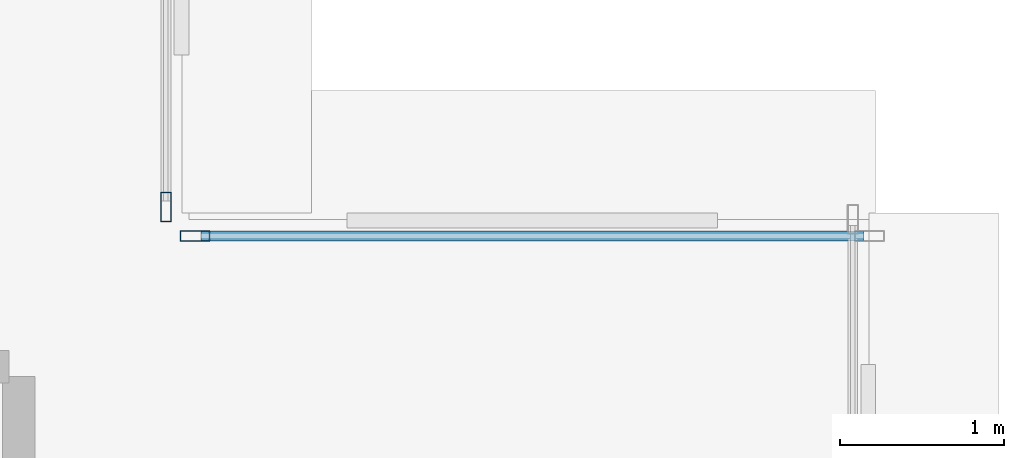
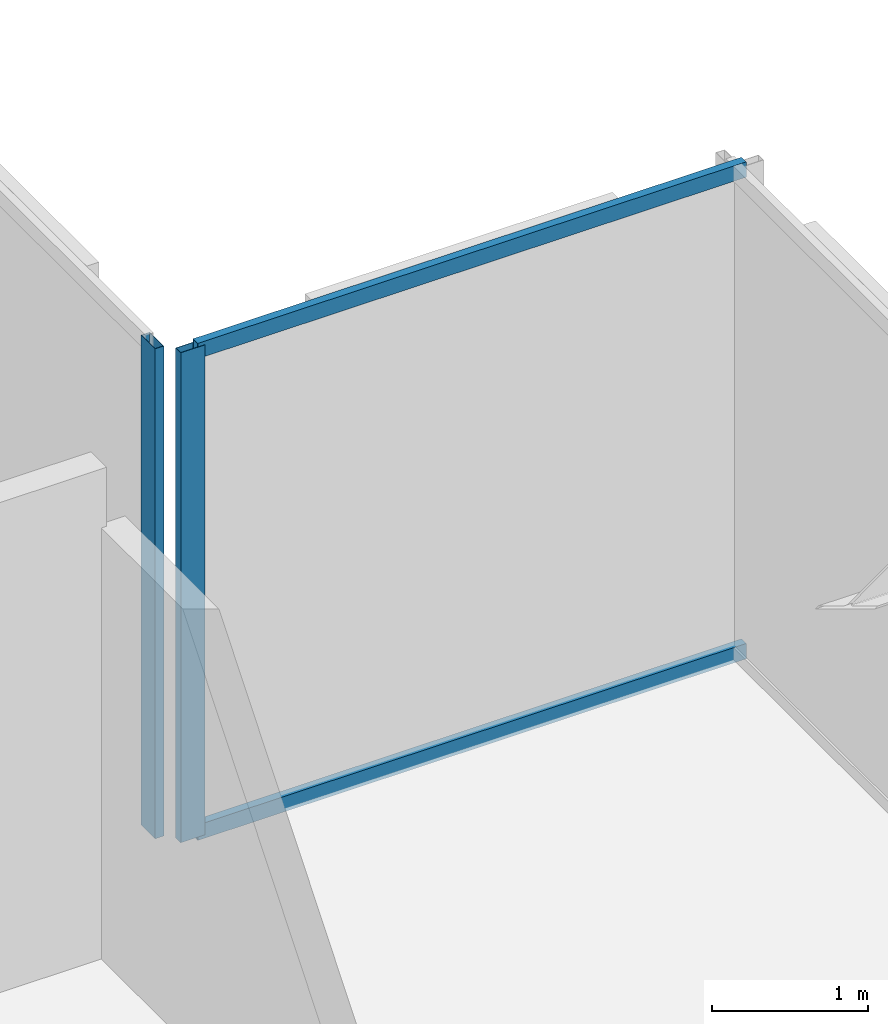
# One storey, part 20 of 30: 4 members, 2 elements without a shape of their own.
"""IFC4 building model written with IfcOpenShell, lengths in metres."""

from ifc_helpers import new_model, si_unit, direction, frame, origin, origin_2d, place, context, subcontext, project, spatial, hollow_rectangle, extrude, material, layer, layer_set, material_profile, profile_set, type_object, element, aggregate, save


model = new_model("IFC4")

# Units and contexts
model_context = context("Model", 3, precision=1e-05, world=origin(), true_north=direction((0.0, 1.0)))
body_context = subcontext(model_context, "Body", "Model", "MODEL_VIEW")
ifc_project = project(units=[si_unit("LENGTHUNIT", "METRE"), si_unit("AREAUNIT", "SQUARE_METRE"), si_unit("VOLUMEUNIT", "CUBIC_METRE"), si_unit("PLANEANGLEUNIT", "RADIAN"), si_unit("MASSUNIT", "GRAM", prefix="KILO")], contexts=[model_context])

# Site, building, storey
site_placement = place(None, origin())
site = spatial("IfcSite", under=ifc_project, at=site_placement, CompositionType="ELEMENT")
building_placement = place(site_placement, origin())
building = spatial("IfcBuilding", under=site, at=building_placement, Name="Nerrivon Quay Data Exchange", CompositionType="ELEMENT")
storey_placement = place(building_placement, frame((0.0, 0.0, 167.300048828125)))
storey = spatial("IfcBuildingStorey", under=building, at=storey_placement, Name="L39", CompositionType="ELEMENT", Elevation=167.300048828125)

# Curtain wall, member
ifc_material = material(Name="Anodised aluminium 6063-T6", Category="aluminium")
ifc_layer = layer(ifc_material, 0.195068359375)
ifc_layer_set = layer_set([ifc_layer], Name="Anodised aluminium 6063-T6")
curtain_wall_type = type_object("IfcCurtainWallType", Name="CW-SYS-06", PredefinedType="NOTDEFINED", material=ifc_layer_set)
curtain_wall_1_placement = place(storey_placement, origin())
curtain_wall_1 = element("IfcCurtainWall", 1, at=curtain_wall_1_placement, inside=storey, type_object=curtain_wall_type, Name="L39 Unitised Curtain Wall 21", PredefinedType="NOTDEFINED")
ifc_material_profile_1 = material_profile(ifc_material, hollow_rectangle(XDim=0.06494140625, YDim=0.179931640625, WallThickness=0.00341796875, at=origin_2d()), Name="ALU-MULL-180x65")
ifc_profile_set_1 = profile_set([ifc_material_profile_1], Name="Anodised aluminium 6063-T6")
member_type_1 = type_object("IfcMemberType", Name="CWM-180x65", PredefinedType="MULLION", material=ifc_profile_set_1)
member_1_placement = place(storey_placement, frame((20.860107421875, 46.237548828125, 0.0), z_axis=(0.0, 0.0, 1.0), x_axis=(1.0, 0.0, 0.0)))
member_1 = element("IfcMember", 2, at=member_1_placement, type_object=member_type_1, Name="CW06 mullion 2", PredefinedType="MULLION", context=body_context, shape_type="SweptSolid", body=[
    extrude(hollow_rectangle(XDim=0.06494140625, YDim=0.179931640625, WallThickness=0.00341796875, at=origin_2d()), origin(), (0.0, 0.0, 1.0), 3.824951171875),
])
aggregate(curtain_wall_1, [member_1])

# Curtain wall, members
curtain_wall_2_placement = place(storey_placement, origin())
curtain_wall_2 = element("IfcCurtainWall", 3, at=curtain_wall_2_placement, inside=storey, type_object=curtain_wall_type, Name="L39 Unitised Curtain Wall 22", PredefinedType="NOTDEFINED")
member_2_placement = place(storey_placement, frame((21.03759765625, 46.06005859375, 0.0), z_axis=(0.0, 0.0, 1.0), x_axis=(0.0, 1.0, 0.0)))
member_2 = element("IfcMember", 4, at=member_2_placement, type_object=member_type_1, Name="CW06 mullion 1", PredefinedType="MULLION", context=body_context, shape_type="SweptSolid", body=[
    extrude(hollow_rectangle(XDim=0.06494140625, YDim=0.179931640625, WallThickness=0.00341796875, at=origin_2d()), origin(), (0.0, 0.0, 1.0), 3.824951171875),
])
ifc_material_profile_2 = material_profile(ifc_material, hollow_rectangle(XDim=0.06005859375, YDim=0.1201171875, WallThickness=0.003173828125, at=origin_2d()), Name="ALU-TRAN-120x60")
ifc_profile_set_2 = profile_set([ifc_material_profile_2], Name="Anodised aluminium 6063-T6")
member_type_2 = type_object("IfcMemberType", Name="CWT-120x60", PredefinedType="USERDEFINED", material=ifc_profile_set_2)
member_3_placement = place(storey_placement, frame((21.074951171875, 46.06005859375, 0.032470703125), z_axis=(1.0, 0.0, 0.0), x_axis=(0.0, 1.0, 0.0)))
member_3 = element("IfcMember", 5, at=member_3_placement, type_object=member_type_2, Name="CW06 transom 1.1", ObjectType="TRANSOM", PredefinedType="USERDEFINED", context=body_context, shape_type="SweptSolid", body=[
    extrude(hollow_rectangle(XDim=0.06005859375, YDim=0.1201171875, WallThickness=0.003173828125, at=origin_2d()), origin(), (0.0, 0.0, 1.0), 4.050048828125),
])
member_4_placement = place(storey_placement, frame((21.074951171875, 46.06005859375, 3.79248046875), z_axis=(1.0, 0.0, 0.0), x_axis=(0.0, 1.0, 0.0)))
member_4 = element("IfcMember", 6, at=member_4_placement, type_object=member_type_2, Name="CW06 transom 1.2", ObjectType="TRANSOM", PredefinedType="USERDEFINED", context=body_context, shape_type="SweptSolid", body=[
    extrude(hollow_rectangle(XDim=0.06005859375, YDim=0.1201171875, WallThickness=0.003173828125, at=origin_2d()), origin(), (0.0, 0.0, 1.0), 4.050048828125),
])
aggregate(curtain_wall_2, [member_2, member_3, member_4])

save(model, "model.ifc")
